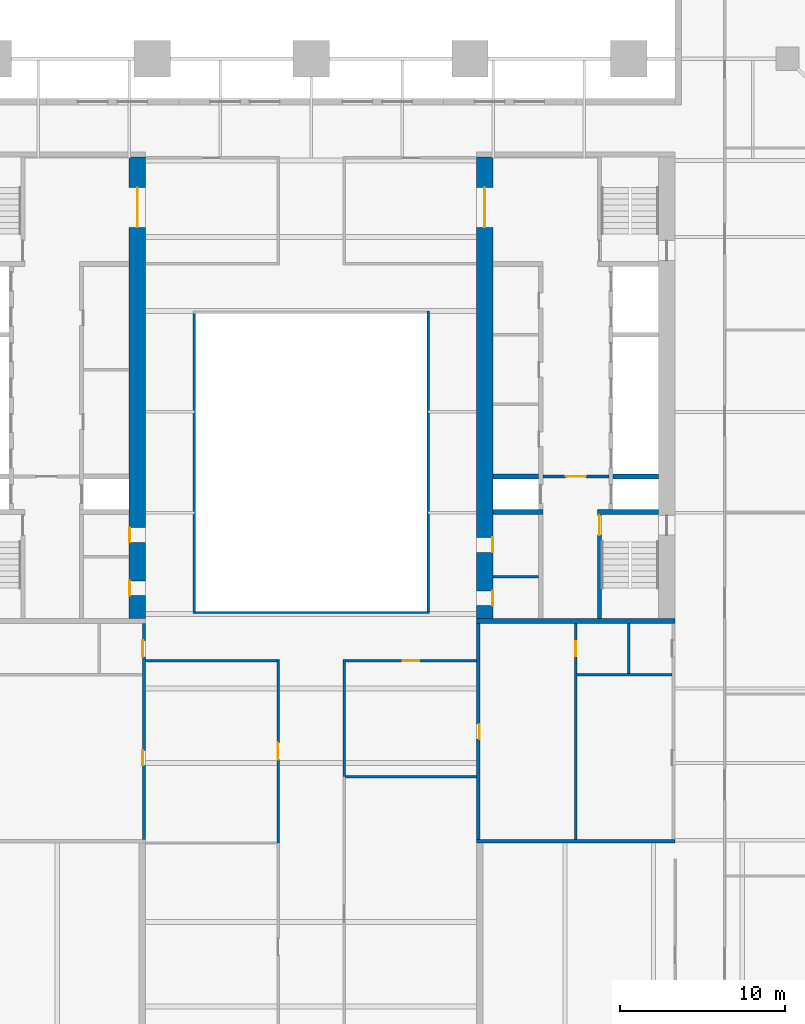
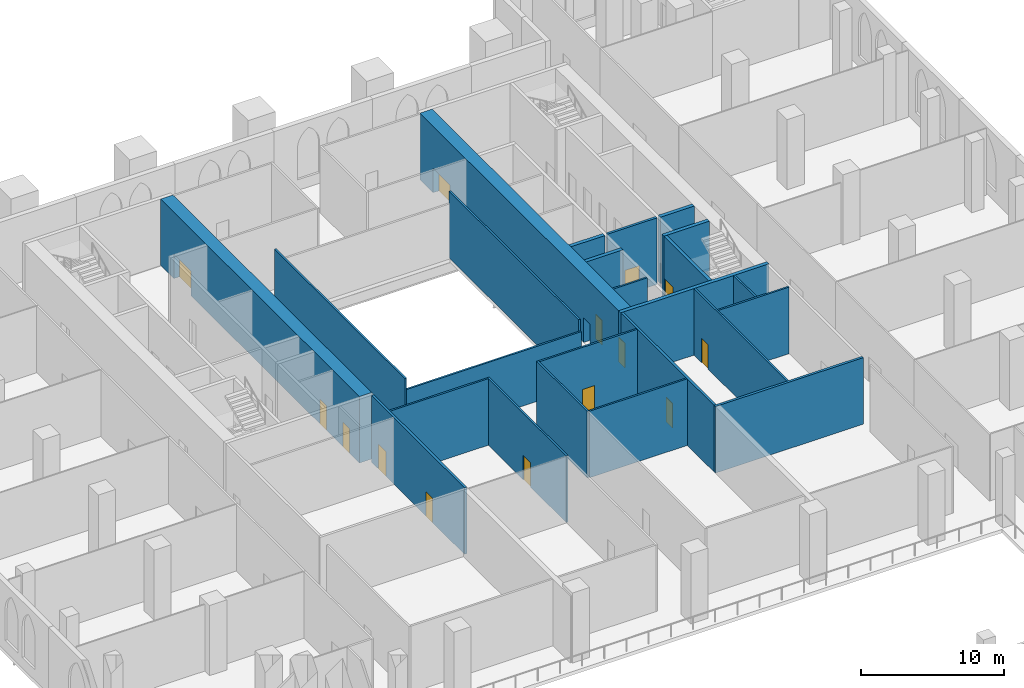
# One storey, part 11 of 21: 24 walls, 14 doors, 14 openings.
"""IFC4 building model written with IfcOpenShell, lengths in metres."""

from ifc_helpers import new_model, si_unit, direction, frame, frame_2d, origin, place, context, subcontext, project, spatial, rectangle, extrude, material, layer, layer_set, type_object, element, fill, save


model = new_model("IFC4")

# Units and contexts
model_context = context("Model", 3, precision=1e-05, world=origin(), true_north=direction((0.0, 1.0)))
body_context = subcontext(model_context, "Body", "Model", "MODEL_VIEW")
ifc_project = project(units=[si_unit("LENGTHUNIT", "METRE"), si_unit("AREAUNIT", "SQUARE_METRE"), si_unit("VOLUMEUNIT", "CUBIC_METRE"), si_unit("PLANEANGLEUNIT", "RADIAN"), si_unit("MASSUNIT", "GRAM", prefix="KILO")], contexts=[model_context])

# Site, building, storey
site_placement = place(None, origin())
site = spatial("IfcSite", under=ifc_project, at=site_placement, CompositionType="ELEMENT")
building_placement = place(site_placement, origin())
building = spatial("IfcBuilding", under=site, at=building_placement, Name="Ogive Exchange Tower", CompositionType="ELEMENT")
storey_placement = place(building_placement, frame((0.0, 0.0, 8.0)))
storey = spatial("IfcBuildingStorey", under=building, at=storey_placement, Name="L01", CompositionType="ELEMENT", Elevation=8.0)

# Walls
ifc_material_1 = material(Name="Acoustic partition 150")
ifc_layer_1 = layer(ifc_material_1, 0.14990234375)
ifc_layer_set_1 = layer_set([ifc_layer_1], Name="Acoustic partition 150")
wall_type_1 = type_object("IfcWallType", Name="Acoustic partition 150", PredefinedType="PARTITIONING", material=ifc_layer_set_1)
wall_1_placement = place(storey_placement, frame((2.074951171875, -12.0, 0.0), z_axis=(0.0, 0.0, 1.0), x_axis=(1.0, 0.0, 0.0)))
element("IfcWall", 1, at=wall_1_placement, inside=storey, type_object=wall_type_1, Name="L01-PWL-019", PredefinedType="PARTITIONING", context=body_context, shape_type="SweptSolid", body=[
    extrude(rectangle(XDim=7.925048828125, YDim=0.14990234375, at=frame_2d((3.96240234375, 0.0))), origin(), (0.0, 0.0, 1.0), 5.699951171875),
])
ifc_material_2 = material(Name="Gypsum board partition")
ifc_layer_2 = layer(ifc_material_2, 0.14990234375)
ifc_layer_set_2 = layer_set([ifc_layer_2], Name="Core room partition 150 gypsum")
wall_type_2 = type_object("IfcWallType", Name="Core room partition 150 gypsum", PredefinedType="PARTITIONING", material=ifc_layer_set_2)
wall_2_placement = place(storey_placement, frame((11.0, 0.10009765625, 0.0), z_axis=(0.0, 0.0, 1.0), x_axis=(1.0, 0.0, 0.0)))
element("IfcWall", 2, at=wall_2_placement, inside=storey, type_object=wall_type_2, Name="E south room partition", PredefinedType="PARTITIONING", context=body_context, shape_type="SweptSolid", body=[
    extrude(rectangle(XDim=2.75, YDim=0.14990234375, at=frame_2d((1.375, 0.0))), origin(), (0.0, 0.0, 1.0), 5.699951171875),
])

# Wall, opening, door
wall_3_placement = place(storey_placement, frame((16.0, -15.800048828125, 0.0), z_axis=(0.0, 0.0, 1.0), x_axis=(0.0, 1.0, 0.0)))
wall_3 = element("IfcWall", 3, at=wall_3_placement, inside=storey, type_object=wall_type_2, Name="E annex S column wall", PredefinedType="PARTITIONING", context=body_context, shape_type="SweptSolid", body=[
    extrude(rectangle(XDim=13.050048828125, YDim=0.14990234375, at=frame_2d((6.52490234375, 0.0))), origin(), (0.0, 0.0, 1.0), 5.699951171875),
])
opening_1_placement = place(wall_3_placement, frame((11.08740234375, 0.0, 0.0)))
opening_1 = element("IfcOpeningElement", 4, at=opening_1_placement, cuts=wall_3, Name="Opening L01-C43", PredefinedType="OPENING", context=body_context, shape_type="SweptSolid", body=[
    extrude(rectangle(XDim=0.89990234375, YDim=2.10009765625, at=frame_2d((0.449951171875, 1.050048828125))), frame((0.0, 0.0849609375, 0.0), z_axis=(0.0, -1.0, 0.0), x_axis=(1.0, 0.0, 0.0)), (0.0, 0.0, 1.0), 0.169921875),
])
ifc_material_3 = material(Name="Steel fire door", Category="steel")
door_type_1 = type_object("IfcDoorType", Name="Riser door FD60 900 x 2100", OperationType="NOTDEFINED", PredefinedType="DOOR", material=ifc_material_3)
door_1_placement = place(opening_1_placement, frame((0.89990234375, 0.0, 0.0), z_axis=(0.0, 0.0, 1.0), x_axis=(-1.0, 0.0, 0.0)))
door_1 = element("IfcDoor", 5, at=door_1_placement, inside=storey, type_object=door_type_1, Name="Riser door", ObjectType="CD2", OperationType="SINGLE_SWING_RIGHT", OverallHeight=2.10009765625, OverallWidth=0.89990234375, PredefinedType="DOOR", context=body_context, shape_type="SweptSolid", body=[
    extrude(rectangle(XDim=0.89990234375, YDim=2.10009765625, at=frame_2d((0.449951171875, 1.050048828125))), frame((0.0, 0.02490234375, 0.0), z_axis=(0.0, -1.0, 0.0), x_axis=(1.0, 0.0, 0.0)), (0.0, 0.0, 1.0), 0.050048828125),
])
fill(opening_1, door_1)

# Walls
wall_4_placement = place(storey_placement, frame((16.074951171875, -5.85009765625, 0.0), z_axis=(0.0, 0.0, 1.0), x_axis=(1.0, 0.0, 0.0)))
element("IfcWall", 6, at=wall_4_placement, inside=storey, type_object=wall_type_2, Name="E annex S wc strip wall 00", PredefinedType="PARTITIONING", context=body_context, shape_type="SweptSolid", body=[
    extrude(rectangle(XDim=5.72509765625, YDim=0.14990234375, at=frame_2d((2.862548828125, 0.0))), origin(), (0.0, 0.0, 1.0), 5.699951171875),
])
wall_5_placement = place(storey_placement, frame((19.199951171875, -5.77490234375, 0.0), z_axis=(0.0, 0.0, 1.0), x_axis=(0.0, 1.0, 0.0)))
element("IfcWall", 7, at=wall_5_placement, inside=storey, type_object=wall_type_2, Name="E annex S wc partition 00", PredefinedType="PARTITIONING", context=body_context, shape_type="SweptSolid", body=[
    extrude(rectangle(XDim=3.02490234375, YDim=0.14990234375, at=frame_2d((1.512451171875, 0.0))), origin(), (0.0, 0.0, 1.0), 5.699951171875),
])
ifc_material_4 = material(Name="Fire partition EI 60 150")
ifc_layer_3 = layer(ifc_material_4, 0.14990234375)
ifc_layer_set_3 = layer_set([ifc_layer_3], Name="Fire partition EI 60 150")
wall_type_3 = type_object("IfcWallType", Name="Fire partition EI 60 150", PredefinedType="PARTITIONING", material=ifc_layer_set_3)
wall_6_placement = place(storey_placement, frame((-10.0, -5.0, 0.0), z_axis=(0.0, 0.0, 1.0), x_axis=(1.0, 0.0, 0.0)))
element("IfcWall", 8, at=wall_6_placement, inside=storey, type_object=wall_type_3, Name="L01-PWL-023", PredefinedType="PARTITIONING", context=body_context, shape_type="SweptSolid", body=[
    extrude(rectangle(XDim=7.925048828125, YDim=0.14990234375, at=frame_2d((3.96240234375, 0.0))), origin(), (0.0, 0.0, 1.0), 5.699951171875),
])

# Wall, opening, door
wall_7_placement = place(storey_placement, frame((2.074951171875, -5.0, 0.0), z_axis=(0.0, 0.0, 1.0), x_axis=(1.0, 0.0, 0.0)))
wall_7 = element("IfcWall", 9, at=wall_7_placement, inside=storey, type_object=wall_type_3, Name="L01-PWL-024", PredefinedType="PARTITIONING", context=body_context, shape_type="SweptSolid", body=[
    extrude(rectangle(XDim=7.925048828125, YDim=0.14990234375, at=frame_2d((3.96240234375, 0.0))), origin(), (0.0, 0.0, 1.0), 5.699951171875),
])
opening_2_placement = place(wall_7_placement, frame((3.46240234375, 0.0, 0.0)))
opening_2 = element("IfcOpeningElement", 10, at=opening_2_placement, cuts=wall_7, Name="Opening L01-I23", PredefinedType="OPENING", context=body_context, shape_type="SweptSolid", body=[
    extrude(rectangle(XDim=1.0, YDim=2.10009765625, at=frame_2d((0.5, 1.050048828125))), frame((0.0, 0.0849609375, 0.0), z_axis=(0.0, -1.0, 0.0), x_axis=(1.0, 0.0, 0.0)), (0.0, 0.0, 1.0), 0.169921875),
])
ifc_material_5 = material(Name="Fire door FD 30S 1000 x 2100")
door_type_2 = type_object("IfcDoorType", Name="Fire door FD 30S 1000 x 2100", OperationType="NOTDEFINED", PredefinedType="DOOR", material=ifc_material_5)
door_2_placement = place(opening_2_placement, frame((1.0, 0.0, 0.0), z_axis=(0.0, 0.0, 1.0), x_axis=(-1.0, 0.0, 0.0)))
door_2 = element("IfcDoor", 11, at=door_2_placement, inside=storey, type_object=door_type_2, Name="L01-IDR-023", ObjectType="DT3", OperationType="SINGLE_SWING_RIGHT", OverallHeight=2.10009765625, OverallWidth=1.0, PredefinedType="DOOR", context=body_context, shape_type="SweptSolid", body=[
    extrude(rectangle(XDim=1.0, YDim=2.10009765625, at=frame_2d((0.5, 1.050048828125))), frame((0.0, 0.02490234375, 0.0), z_axis=(0.0, -1.0, 0.0), x_axis=(1.0, 0.0, 0.0)), (0.0, 0.0, 1.0), 0.050048828125),
])
fill(opening_2, door_2)

wall_8_placement = place(storey_placement, frame((-2.0, -16.0, 0.0), z_axis=(0.0, 0.0, 1.0), x_axis=(0.0, 1.0, 0.0)))
wall_8 = element("IfcWall", 12, at=wall_8_placement, inside=storey, type_object=wall_type_3, Name="L01-PWL-054", PredefinedType="PARTITIONING", context=body_context, shape_type="SweptSolid", body=[
    extrude(rectangle(XDim=11.074951171875, YDim=0.14990234375, at=frame_2d((5.53759765625, 0.0))), origin(), (0.0, 0.0, 1.0), 5.699951171875),
])
opening_3_placement = place(wall_8_placement, frame((5.03759765625, 0.0, 0.0)))
opening_3 = element("IfcOpeningElement", 13, at=opening_3_placement, cuts=wall_8, Name="Opening L01-I21", PredefinedType="OPENING", context=body_context, shape_type="SweptSolid", body=[
    extrude(rectangle(XDim=1.0, YDim=2.10009765625, at=frame_2d((0.5, 1.050048828125))), frame((0.0, 0.0849609375, 0.0), z_axis=(0.0, -1.0, 0.0), x_axis=(1.0, 0.0, 0.0)), (0.0, 0.0, 1.0), 0.169921875),
])
door_3_placement = place(opening_3_placement, origin())
door_3 = element("IfcDoor", 14, at=door_3_placement, inside=storey, type_object=door_type_2, Name="L01-IDR-021", ObjectType="DT3", OperationType="SINGLE_SWING_LEFT", OverallHeight=2.10009765625, OverallWidth=1.0, PredefinedType="DOOR", context=body_context, shape_type="SweptSolid", body=[
    extrude(rectangle(XDim=1.0, YDim=2.10009765625, at=frame_2d((0.5, 1.050048828125))), frame((0.0, 0.02490234375, 0.0), z_axis=(0.0, -1.0, 0.0), x_axis=(1.0, 0.0, 0.0)), (0.0, 0.0, 1.0), 0.050048828125),
])
fill(opening_3, door_3)

# Walls
wall_9_placement = place(storey_placement, frame((2.0, -12.0, 0.0), z_axis=(0.0, 0.0, 1.0), x_axis=(0.0, 1.0, 0.0)))
element("IfcWall", 15, at=wall_9_placement, inside=storey, type_object=wall_type_3, Name="L01-PWL-057", PredefinedType="PARTITIONING", context=body_context, shape_type="SweptSolid", body=[
    extrude(rectangle(XDim=7.074951171875, YDim=0.14990234375, at=frame_2d((3.53759765625, 0.0))), origin(), (0.0, 0.0, 1.0), 5.699951171875),
])
ifc_material_6 = material(Name="Fire-resisting glass in steel frame", Category="steel")
ifc_layer_4 = layer(ifc_material_6, 0.14990234375)
ifc_layer_set_4 = layer_set([ifc_layer_4], Name="Fire-rated glazed wall 150")
wall_type_4 = type_object("IfcWallType", Name="Fire-rated glazed wall 150", PredefinedType="STANDARD", material=ifc_layer_set_4)
wall_10_placement = place(storey_placement, frame((-7.074951171875, -2.14990234375, 0.0), z_axis=(0.0, 0.0, 1.0), x_axis=(0.0, 1.0, 0.0)))
element("IfcWall", 16, at=wall_10_placement, inside=storey, type_object=wall_type_4, Name="Nave enclosure wall 1", PredefinedType="STANDARD", context=body_context, shape_type="SweptSolid", body=[
    extrude(rectangle(XDim=18.2998046875, YDim=0.14990234375, at=frame_2d((9.14990234375, 0.0))), origin(), (0.0, 0.0, 1.0), 5.699951171875),
])
wall_11_placement = place(storey_placement, frame((7.074951171875, 16.14990234375, 0.0), z_axis=(0.0, 0.0, 1.0), x_axis=(0.0, -1.0, 0.0)))
element("IfcWall", 17, at=wall_11_placement, inside=storey, type_object=wall_type_4, Name="Nave enclosure wall 3", PredefinedType="STANDARD", context=body_context, shape_type="SweptSolid", body=[
    extrude(rectangle(XDim=18.14990234375, YDim=0.14990234375, at=frame_2d((9.074951171875, 0.0))), origin(), (0.0, 0.0, 1.0), 5.699951171875),
])
wall_12_placement = place(storey_placement, frame((7.14990234375, -2.074951171875, 0.0), z_axis=(0.0, 0.0, 1.0), x_axis=(-1.0, 0.0, 0.0)))
element("IfcWall", 18, at=wall_12_placement, inside=storey, type_object=wall_type_4, Name="Nave enclosure wall 4", PredefinedType="STANDARD", context=body_context, shape_type="SweptSolid", body=[
    extrude(rectangle(XDim=14.14990234375, YDim=0.14990234375, at=frame_2d((7.074951171875, 0.0))), origin(), (0.0, 0.0, 1.0), 4.719970703125),
])

# Wall, openings, doors
ifc_material_7 = material(Name="Concrete C70/85", Category="concrete")
ifc_layer_5 = layer(ifc_material_7, 1.0)
ifc_layer_set_5 = layer_set([ifc_layer_5], Name="RC core wall 1000 C70/85")
wall_type_5 = type_object("IfcWallType", Name="RC core wall 1000 C70/85", PredefinedType="SHEAR", material=ifc_layer_set_5)
wall_13_placement = place(storey_placement, frame((-10.5, -2.449951171875, 0.0), z_axis=(0.0, 0.0, 1.0), x_axis=(0.0, 1.0, 0.0)))
wall_13 = element("IfcWall", 19, at=wall_13_placement, inside=storey, type_object=wall_type_5, Name="W inner wall", PredefinedType="SHEAR", context=body_context, shape_type="SweptSolid", body=[
    extrude(rectangle(XDim=27.89990234375, YDim=1.0, at=frame_2d((13.949951171875, 0.0))), origin(), (0.0, 0.0, 1.0), 5.699951171875),
])
opening_4_placement = place(wall_13_placement, frame((23.64990234375, 0.0, 0.0)))
opening_4 = element("IfcOpeningElement", 20, at=opening_4_placement, cuts=wall_13, Name="Opening L01-C12", PredefinedType="OPENING", context=body_context, shape_type="SweptSolid", body=[
    extrude(rectangle(XDim=2.39990234375, YDim=2.10009765625, at=frame_2d((1.199951171875, 1.050048828125))), frame((0.0, 0.510009765625, 0.0), z_axis=(0.0, -1.0, 0.0), x_axis=(1.0, 0.0, 0.0)), (0.0, 0.0, 1.0), 1.02001953125),
])
opening_5_placement = place(wall_13_placement, frame((1.387451171875, 0.0, 0.0)))
opening_5 = element("IfcOpeningElement", 21, at=opening_5_placement, cuts=wall_13, Name="Opening L01-C17", PredefinedType="OPENING", context=body_context, shape_type="SweptSolid", body=[
    extrude(rectangle(XDim=0.89990234375, YDim=2.10009765625, at=frame_2d((0.449951171875, 1.050048828125))), frame((0.0, 0.510009765625, 0.0), z_axis=(0.0, -1.0, 0.0), x_axis=(1.0, 0.0, 0.0)), (0.0, 0.0, 1.0), 1.02001953125),
])
opening_6_placement = place(wall_13_placement, frame((4.612548828125, 0.0, 0.0)))
opening_6 = element("IfcOpeningElement", 22, at=opening_6_placement, cuts=wall_13, Name="Opening L01-C18", PredefinedType="OPENING", context=body_context, shape_type="SweptSolid", body=[
    extrude(rectangle(XDim=0.89990234375, YDim=2.10009765625, at=frame_2d((0.449951171875, 1.050048828125))), frame((0.0, 0.510009765625, 0.0), z_axis=(0.0, -1.0, 0.0), x_axis=(1.0, 0.0, 0.0)), (0.0, 0.0, 1.0), 1.02001953125),
])
ifc_material_8 = material(Name="Timber fire door", Category="wood")
door_type_3 = type_object("IfcDoorType", Name="Core room door FD30S 900 x 2100", OperationType="NOTDEFINED", PredefinedType="DOOR", material=ifc_material_8)
door_4_placement = place(opening_5_placement, origin())
door_4 = element("IfcDoor", 23, at=door_4_placement, inside=storey, type_object=door_type_3, Name="Core room door", ObjectType="CD6", OperationType="SINGLE_SWING_LEFT", OverallHeight=2.10009765625, OverallWidth=0.89990234375, PredefinedType="DOOR", context=body_context, shape_type="SweptSolid", body=[
    extrude(rectangle(XDim=0.89990234375, YDim=2.10009765625, at=frame_2d((0.449951171875, 1.050048828125))), frame((0.0, 0.5, 0.0), z_axis=(0.0, -1.0, 0.0), x_axis=(1.0, 0.0, 0.0)), (0.0, 0.0, 1.0), 0.050048828125),
])
fill(opening_5, door_4)
door_5_placement = place(opening_6_placement, origin())
door_5 = element("IfcDoor", 24, at=door_5_placement, inside=storey, type_object=door_type_3, Name="Core room door", ObjectType="CD6", OperationType="SINGLE_SWING_RIGHT", OverallHeight=2.10009765625, OverallWidth=0.89990234375, PredefinedType="DOOR", context=body_context, shape_type="SweptSolid", body=[
    extrude(rectangle(XDim=0.89990234375, YDim=2.10009765625, at=frame_2d((0.449951171875, 1.050048828125))), frame((0.0, 0.5, 0.0), z_axis=(0.0, -1.0, 0.0), x_axis=(1.0, 0.0, 0.0)), (0.0, 0.0, 1.0), 0.050048828125),
])
fill(opening_6, door_5)
ifc_material_9 = material(Name="Glazed steel fire door", Category="steel")
door_type_4 = type_object("IfcDoorType", Name="Lift lobby double door FD60 2400 x 2100", OperationType="DOUBLE_DOOR_SINGLE_SWING", PredefinedType="DOOR", material=ifc_material_9)
door_6_placement = place(opening_4_placement, frame((2.39990234375, 0.0, 0.0), z_axis=(0.0, 0.0, 1.0), x_axis=(-1.0, 0.0, 0.0)))
door_6 = element("IfcDoor", 25, at=door_6_placement, inside=storey, type_object=door_type_4, Name="Lift lobby double door", ObjectType="CD4", OperationType="DOUBLE_DOOR_SINGLE_SWING", OverallHeight=2.10009765625, OverallWidth=2.39990234375, PredefinedType="DOOR", context=body_context, shape_type="SweptSolid", body=[
    extrude(rectangle(XDim=2.39990234375, YDim=2.10009765625, at=frame_2d((1.199951171875, 1.050048828125))), frame((0.0, 0.02490234375, 0.0), z_axis=(0.0, -1.0, 0.0), x_axis=(1.0, 0.0, 0.0)), (0.0, 0.0, 1.0), 0.050048828125),
])
fill(opening_4, door_6)

wall_14_placement = place(storey_placement, frame((10.5, -2.449951171875, 0.0), z_axis=(0.0, 0.0, 1.0), x_axis=(0.0, 1.0, 0.0)))
wall_14 = element("IfcWall", 26, at=wall_14_placement, inside=storey, type_object=wall_type_5, Name="E inner wall", PredefinedType="SHEAR", context=body_context, shape_type="SweptSolid", body=[
    extrude(rectangle(XDim=27.89990234375, YDim=1.0, at=frame_2d((13.949951171875, 0.0))), origin(), (0.0, 0.0, 1.0), 5.699951171875),
])
opening_7_placement = place(wall_14_placement, frame((23.64990234375, 0.0, 0.0)))
opening_7 = element("IfcOpeningElement", 27, at=opening_7_placement, cuts=wall_14, Name="Opening L01-C34", PredefinedType="OPENING", context=body_context, shape_type="SweptSolid", body=[
    extrude(rectangle(XDim=2.39990234375, YDim=2.10009765625, at=frame_2d((1.199951171875, 1.050048828125))), frame((0.0, 0.510009765625, 0.0), z_axis=(0.0, -1.0, 0.0), x_axis=(1.0, 0.0, 0.0)), (0.0, 0.0, 1.0), 1.02001953125),
])
opening_8_placement = place(wall_14_placement, frame((0.78759765625, 0.0, 0.0)))
opening_8 = element("IfcOpeningElement", 28, at=opening_8_placement, cuts=wall_14, Name="Opening L01-C39", PredefinedType="OPENING", context=body_context, shape_type="SweptSolid", body=[
    extrude(rectangle(XDim=0.89990234375, YDim=2.10009765625, at=frame_2d((0.449951171875, 1.050048828125))), frame((0.0, 0.510009765625, 0.0), z_axis=(0.0, -1.0, 0.0), x_axis=(1.0, 0.0, 0.0)), (0.0, 0.0, 1.0), 1.02001953125),
])
opening_9_placement = place(wall_14_placement, frame((4.012451171875, 0.0, 0.0)))
opening_9 = element("IfcOpeningElement", 29, at=opening_9_placement, cuts=wall_14, Name="Opening L01-C40", PredefinedType="OPENING", context=body_context, shape_type="SweptSolid", body=[
    extrude(rectangle(XDim=0.89990234375, YDim=2.10009765625, at=frame_2d((0.449951171875, 1.050048828125))), frame((0.0, 0.510009765625, 0.0), z_axis=(0.0, -1.0, 0.0), x_axis=(1.0, 0.0, 0.0)), (0.0, 0.0, 1.0), 1.02001953125),
])
door_7_placement = place(opening_8_placement, frame((0.89990234375, -0.9501953125, 0.0), z_axis=(0.0, 0.0, 1.0), x_axis=(-1.0, 0.0, 0.0)))
door_7 = element("IfcDoor", 30, at=door_7_placement, inside=storey, type_object=door_type_3, Name="Core room door", ObjectType="CD6", OperationType="SINGLE_SWING_LEFT", OverallHeight=2.10009765625, OverallWidth=0.89990234375, PredefinedType="DOOR", context=body_context, shape_type="SweptSolid", body=[
    extrude(rectangle(XDim=0.89990234375, YDim=2.10009765625, at=frame_2d((0.449951171875, 1.050048828125))), frame((0.0, -0.4501953125, 0.0), z_axis=(0.0, -1.0, 0.0), x_axis=(1.0, 0.0, 0.0)), (0.0, 0.0, 1.0), 0.050048828125),
])
fill(opening_8, door_7)
door_8_placement = place(opening_7_placement, origin())
door_8 = element("IfcDoor", 31, at=door_8_placement, inside=storey, type_object=door_type_4, Name="Lift lobby double door", ObjectType="CD4", OperationType="DOUBLE_DOOR_SINGLE_SWING", OverallHeight=2.10009765625, OverallWidth=2.39990234375, PredefinedType="DOOR", context=body_context, shape_type="SweptSolid", body=[
    extrude(rectangle(XDim=2.39990234375, YDim=2.10009765625, at=frame_2d((1.199951171875, 1.050048828125))), frame((0.0, 0.02490234375, 0.0), z_axis=(0.0, -1.0, 0.0), x_axis=(1.0, 0.0, 0.0)), (0.0, 0.0, 1.0), 0.050048828125),
])
fill(opening_7, door_8)
door_9_placement = place(opening_9_placement, frame((0.89990234375, -0.9501953125, 0.0), z_axis=(0.0, 0.0, 1.0), x_axis=(-1.0, 0.0, 0.0)))
door_9 = element("IfcDoor", 32, at=door_9_placement, inside=storey, type_object=door_type_1, Name="Riser door", ObjectType="CD2", OperationType="SINGLE_SWING_RIGHT", OverallHeight=2.10009765625, OverallWidth=0.89990234375, PredefinedType="DOOR", context=body_context, shape_type="SweptSolid", body=[
    extrude(rectangle(XDim=0.89990234375, YDim=2.10009765625, at=frame_2d((0.449951171875, 1.050048828125))), frame((0.0, -0.4501953125, 0.0), z_axis=(0.0, -1.0, 0.0), x_axis=(1.0, 0.0, 0.0)), (0.0, 0.0, 1.0), 0.050048828125),
])
fill(opening_9, door_9)

ifc_layer_6 = layer(ifc_material_7, 0.199951171875)
ifc_layer_set_6 = layer_set([ifc_layer_6], Name="RC core wall 200 C70/85")
wall_type_6 = type_object("IfcWallType", Name="RC core wall 200 C70/85", PredefinedType="SHEAR", material=ifc_layer_set_6)
wall_15_placement = place(storey_placement, frame((-10.10009765625, -15.800048828125, 0.0), z_axis=(0.0, 0.0, 1.0), x_axis=(0.0, 1.0, 0.0)))
wall_15 = element("IfcWall", 33, at=wall_15_placement, inside=storey, type_object=wall_type_6, Name="W annex S inner wall", PredefinedType="SHEAR", context=body_context, shape_type="SweptSolid", body=[
    extrude(rectangle(XDim=13.050048828125, YDim=0.199951171875, at=frame_2d((6.52490234375, 0.0))), origin(), (0.0, 0.0, 1.0), 5.699951171875),
])
opening_10_placement = place(wall_15_placement, frame((4.487548828125, 0.0, 0.0)))
opening_10 = element("IfcOpeningElement", 34, at=opening_10_placement, cuts=wall_15, Name="Opening L01-C19", PredefinedType="OPENING", context=body_context, shape_type="SweptSolid", body=[
    extrude(rectangle(XDim=0.89990234375, YDim=2.10009765625, at=frame_2d((0.449951171875, 1.050048828125))), frame((0.0, 0.10986328125, 0.0), z_axis=(0.0, -1.0, 0.0), x_axis=(1.0, 0.0, 0.0)), (0.0, 0.0, 1.0), 0.219970703125),
])
opening_11_placement = place(wall_15_placement, frame((11.03759765625, 0.0, 0.0)))
opening_11 = element("IfcOpeningElement", 35, at=opening_11_placement, cuts=wall_15, Name="Opening L01-C20", PredefinedType="OPENING", context=body_context, shape_type="SweptSolid", body=[
    extrude(rectangle(XDim=1.0, YDim=2.10009765625, at=frame_2d((0.5, 1.050048828125))), frame((0.0, 0.10986328125, 0.0), z_axis=(0.0, -1.0, 0.0), x_axis=(1.0, 0.0, 0.0)), (0.0, 0.0, 1.0), 0.219970703125),
])
door_type_5 = type_object("IfcDoorType", Name="Accessible WC door FD30S 1000 x 2100", OperationType="NOTDEFINED", PredefinedType="DOOR", material=ifc_material_8)
door_10_placement = place(opening_11_placement, origin())
door_10 = element("IfcDoor", 36, at=door_10_placement, inside=storey, type_object=door_type_5, Name="Accessible WC door", ObjectType="CD7", OperationType="SINGLE_SWING_LEFT", OverallHeight=2.10009765625, OverallWidth=1.0, PredefinedType="DOOR", context=body_context, shape_type="SweptSolid", body=[
    extrude(rectangle(XDim=1.0, YDim=2.10009765625, at=frame_2d((0.5, 1.050048828125))), frame((0.0, 0.10009765625, 0.0), z_axis=(0.0, -1.0, 0.0), x_axis=(1.0, 0.0, 0.0)), (0.0, 0.0, 1.0), 0.050048828125),
])
fill(opening_11, door_10)
door_11_placement = place(opening_10_placement, frame((0.89990234375, 0.14990234375, 0.0), z_axis=(0.0, 0.0, 1.0), x_axis=(-1.0, 0.0, 0.0)))
door_11 = element("IfcDoor", 37, at=door_11_placement, inside=storey, type_object=door_type_3, Name="Core room door", ObjectType="CD6", OperationType="SINGLE_SWING_LEFT", OverallHeight=2.10009765625, OverallWidth=0.89990234375, PredefinedType="DOOR", context=body_context, shape_type="SweptSolid", body=[
    extrude(rectangle(XDim=0.89990234375, YDim=2.10009765625, at=frame_2d((0.449951171875, 1.050048828125))), frame((0.0, 0.10009765625, 0.0), z_axis=(0.0, -1.0, 0.0), x_axis=(1.0, 0.0, 0.0)), (0.0, 0.0, 1.0), 0.050048828125),
])
fill(opening_10, door_11)

# Wall, opening, door
wall_16_placement = place(storey_placement, frame((14.0, 6.142822265625, 0.0), z_axis=(0.0, 0.0, 1.0), x_axis=(1.0, 0.0, 0.0)))
wall_16 = element("IfcWall", 38, at=wall_16_placement, inside=storey, type_object=wall_type_6, Name="E firefighting lobby wall", PredefinedType="SHEAR", context=body_context, shape_type="SweptSolid", body=[
    extrude(rectangle(XDim=4.0, YDim=0.199951171875, at=frame_2d((2.0, 0.0))), origin(), (0.0, 0.0, 1.0), 5.699951171875),
])
opening_12_placement = place(wall_16_placement, frame((1.39990234375, 0.0, 0.0)))
opening_12 = element("IfcOpeningElement", 39, at=opening_12_placement, cuts=wall_16, Name="Opening L01-C33", PredefinedType="OPENING", context=body_context, shape_type="SweptSolid", body=[
    extrude(rectangle(XDim=1.199951171875, YDim=2.10009765625, at=frame_2d((0.60009765625, 1.050048828125))), frame((0.0, 0.10986328125, 0.0), z_axis=(0.0, -1.0, 0.0), x_axis=(1.0, 0.0, 0.0)), (0.0, 0.0, 1.0), 0.219970703125),
])
door_type_6 = type_object("IfcDoorType", Name="Firefighting lobby door FD60 1200 x 2100", OperationType="NOTDEFINED", PredefinedType="DOOR", material=ifc_material_3)
door_12_placement = place(opening_12_placement, frame((1.199951171875, 0.0, 0.0), z_axis=(0.0, 0.0, 1.0), x_axis=(-1.0, 0.0, 0.0)))
door_12 = element("IfcDoor", 40, at=door_12_placement, inside=storey, type_object=door_type_6, Name="Firefighting lobby door", ObjectType="CD3", OperationType="SINGLE_SWING_LEFT", OverallHeight=2.10009765625, OverallWidth=1.199951171875, PredefinedType="DOOR", context=body_context, shape_type="SweptSolid", body=[
    extrude(rectangle(XDim=1.199951171875, YDim=2.10009765625, at=frame_2d((0.60009765625, 1.050048828125))), frame((0.0, 0.02490234375, 0.0), z_axis=(0.0, -1.0, 0.0), x_axis=(1.0, 0.0, 0.0)), (0.0, 0.0, 1.0), 0.050048828125),
])
fill(opening_12, door_12)

wall_17_placement = place(storey_placement, frame((10.10009765625, -15.800048828125, 0.0), z_axis=(0.0, 0.0, 1.0), x_axis=(0.0, 1.0, 0.0)))
wall_17 = element("IfcWall", 41, at=wall_17_placement, inside=storey, type_object=wall_type_6, Name="E annex S inner wall", PredefinedType="SHEAR", context=body_context, shape_type="SweptSolid", body=[
    extrude(rectangle(XDim=13.050048828125, YDim=0.199951171875, at=frame_2d((6.52490234375, 0.0))), origin(), (0.0, 0.0, 1.0), 5.699951171875),
])
opening_13_placement = place(wall_17_placement, frame((6.074951171875, 0.0, 0.0)))
opening_13 = element("IfcOpeningElement", 42, at=opening_13_placement, cuts=wall_17, Name="Opening L01-C44", PredefinedType="OPENING", context=body_context, shape_type="SweptSolid", body=[
    extrude(rectangle(XDim=0.89990234375, YDim=2.10009765625, at=frame_2d((0.449951171875, 1.050048828125))), frame((0.0, 0.10986328125, 0.0), z_axis=(0.0, -1.0, 0.0), x_axis=(1.0, 0.0, 0.0)), (0.0, 0.0, 1.0), 0.219970703125),
])
door_13_placement = place(opening_13_placement, origin())
door_13 = element("IfcDoor", 43, at=door_13_placement, inside=storey, type_object=door_type_3, Name="Core room door", ObjectType="CD6", OperationType="SINGLE_SWING_RIGHT", OverallHeight=2.10009765625, OverallWidth=0.89990234375, PredefinedType="DOOR", context=body_context, shape_type="SweptSolid", body=[
    extrude(rectangle(XDim=0.89990234375, YDim=2.10009765625, at=frame_2d((0.449951171875, 1.050048828125))), frame((0.0, -0.0498046875, 0.0), z_axis=(0.0, -1.0, 0.0), x_axis=(1.0, 0.0, 0.0)), (0.0, 0.0, 1.0), 0.050048828125),
])
fill(opening_13, door_13)

# Wall
wall_18_placement = place(storey_placement, frame((10.0, -15.89990234375, 0.0), z_axis=(0.0, 0.0, 1.0), x_axis=(1.0, 0.0, 0.0)))
element("IfcWall", 44, at=wall_18_placement, inside=storey, type_object=wall_type_6, Name="E annex S end wall", PredefinedType="SHEAR", context=body_context, shape_type="SweptSolid", body=[
    extrude(rectangle(XDim=12.0, YDim=0.199951171875, at=frame_2d((6.0, 0.0))), origin(), (0.0, 0.0, 1.0), 5.699951171875),
])

# Wall, opening, door
ifc_layer_7 = layer(ifc_material_7, 0.25)
ifc_layer_set_7 = layer_set([ifc_layer_7], Name="RC core wall 250 C70/85")
wall_type_7 = type_object("IfcWallType", Name="RC core wall 250 C70/85", PredefinedType="SHEAR", material=ifc_layer_set_7)
wall_19_placement = place(storey_placement, frame((17.425048828125, -2.449951171875, 0.0), z_axis=(0.0, 0.0, 1.0), x_axis=(0.0, 1.0, 0.0)))
wall_19 = element("IfcWall", 45, at=wall_19_placement, inside=storey, type_object=wall_type_7, Name="E stair S front wall", PredefinedType="SHEAR", context=body_context, shape_type="SweptSolid", body=[
    extrude(rectangle(XDim=6.300048828125, YDim=0.25, at=frame_2d((3.14990234375, 0.0))), origin(), (0.0, 0.0, 1.0), 5.699951171875),
])
opening_14_placement = place(wall_19_placement, frame((5.050048828125, 0.0, 0.0)))
opening_14 = element("IfcOpeningElement", 46, at=opening_14_placement, cuts=wall_19, Name="Opening L01-C35", PredefinedType="OPENING", context=body_context, shape_type="SweptSolid", body=[
    extrude(rectangle(XDim=1.199951171875, YDim=2.10009765625, at=frame_2d((0.60009765625, 1.050048828125))), frame((0.0, 0.135009765625, 0.0), z_axis=(0.0, -1.0, 0.0), x_axis=(1.0, 0.0, 0.0)), (0.0, 0.0, 1.0), 0.27001953125),
])
door_type_7 = type_object("IfcDoorType", Name="Stair door FD90 1200 x 2100", OperationType="NOTDEFINED", PredefinedType="DOOR", material=ifc_material_3)
door_14_placement = place(opening_14_placement, frame((1.199951171875, 0.0, 0.0), z_axis=(0.0, 0.0, 1.0), x_axis=(-1.0, 0.0, 0.0)))
door_14 = element("IfcDoor", 47, at=door_14_placement, inside=storey, type_object=door_type_7, Name="Stair door", ObjectType="CD5", OperationType="SINGLE_SWING_RIGHT", OverallHeight=2.10009765625, OverallWidth=1.199951171875, PredefinedType="DOOR", context=body_context, shape_type="SweptSolid", body=[
    extrude(rectangle(XDim=1.199951171875, YDim=2.10009765625, at=frame_2d((0.60009765625, 1.050048828125))), frame((0.0, 0.02490234375, 0.0), z_axis=(0.0, -1.0, 0.0), x_axis=(1.0, 0.0, 0.0)), (0.0, 0.0, 1.0), 0.050048828125),
])
fill(opening_14, door_14)

# Walls
ifc_layer_8 = layer(ifc_material_7, 0.300048828125)
ifc_layer_set_8 = layer_set([ifc_layer_8], Name="RC core wall 300 C70/85")
wall_type_8 = type_object("IfcWallType", Name="RC core wall 300 C70/85", PredefinedType="SHEAR", material=ifc_layer_set_8)
wall_20_placement = place(storey_placement, frame((10.0, -2.60009765625, 0.0), z_axis=(0.0, 0.0, 1.0), x_axis=(1.0, 0.0, 0.0)))
element("IfcWall", 48, at=wall_20_placement, inside=storey, type_object=wall_type_8, Name="E south end wall", PredefinedType="SHEAR", context=body_context, shape_type="SweptSolid", body=[
    extrude(rectangle(XDim=12.0, YDim=0.300048828125, at=frame_2d((6.0, 0.0))), origin(), (0.0, 0.0, 1.0), 5.699951171875),
])
wall_21_placement = place(storey_placement, frame((17.300048828125, 4.0, 0.0), z_axis=(0.0, 0.0, 1.0), x_axis=(1.0, 0.0, 0.0)))
element("IfcWall", 49, at=wall_21_placement, inside=storey, type_object=wall_type_8, Name="E stair S north wall", PredefinedType="SHEAR", context=body_context, shape_type="SweptSolid", body=[
    extrude(rectangle(XDim=3.699951171875, YDim=0.300048828125, at=frame_2d((1.85009765625, 0.0))), origin(), (0.0, 0.0, 1.0), 5.699951171875),
])
wall_22_placement = place(storey_placement, frame((18.25, 6.142822265625, 0.0), z_axis=(0.0, 0.0, 1.0), x_axis=(1.0, 0.0, 0.0)))
element("IfcWall", 50, at=wall_22_placement, inside=storey, type_object=wall_type_8, Name="E row A divider 1", PredefinedType="SHEAR", context=body_context, shape_type="SweptSolid", body=[
    extrude(rectangle(XDim=2.75, YDim=0.300048828125, at=frame_2d((1.375, 0.0))), origin(), (0.0, 0.0, 1.0), 5.699951171875),
])
wall_23_placement = place(storey_placement, frame((11.0, 4.0, 0.0), z_axis=(0.0, 0.0, 1.0), x_axis=(1.0, 0.0, 0.0)))
element("IfcWall", 51, at=wall_23_placement, inside=storey, type_object=wall_type_8, Name="E row B divider 0", PredefinedType="SHEAR", context=body_context, shape_type="SweptSolid", body=[
    extrude(rectangle(XDim=3.0, YDim=0.300048828125, at=frame_2d((1.5, 0.0))), origin(), (0.0, 0.0, 1.0), 5.699951171875),
])
wall_24_placement = place(storey_placement, frame((11.0, 6.142822265625, 0.0), z_axis=(0.0, 0.0, 1.0), x_axis=(1.0, 0.0, 0.0)))
element("IfcWall", 52, at=wall_24_placement, inside=storey, type_object=wall_type_8, Name="E row B divider 1", PredefinedType="SHEAR", context=body_context, shape_type="SweptSolid", body=[
    extrude(rectangle(XDim=2.75, YDim=0.300048828125, at=frame_2d((1.375, 0.0))), origin(), (0.0, 0.0, 1.0), 5.699951171875),
])

save(model, "model.ifc")
